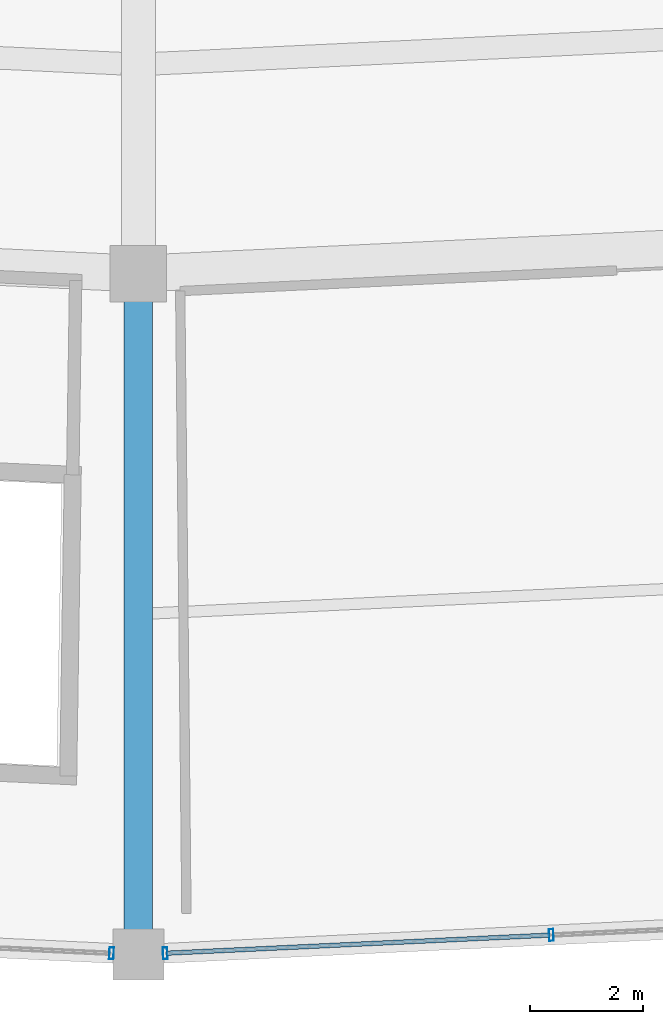
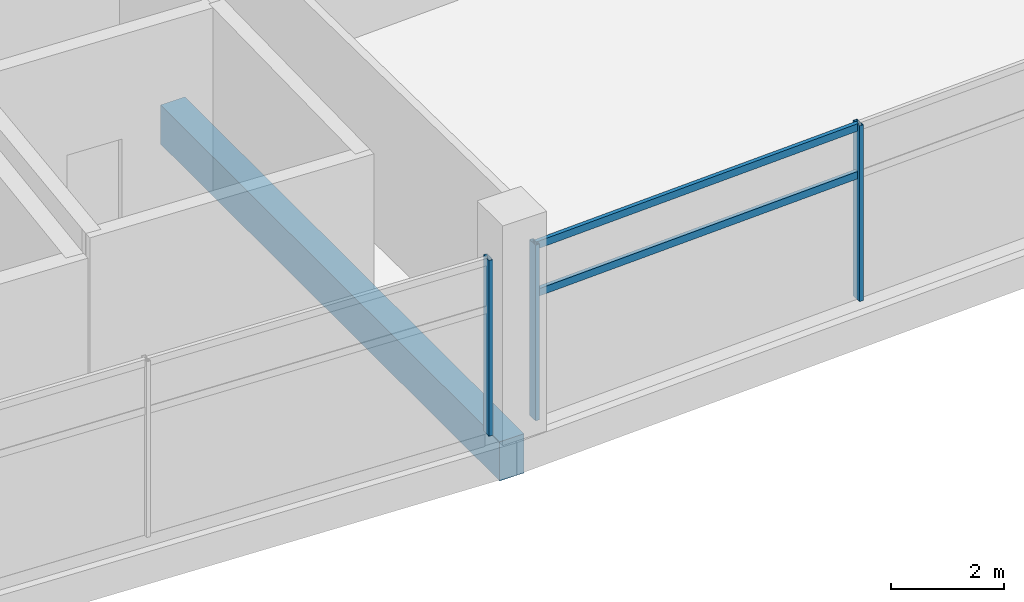
# One storey, part 28 of 171: 5 members, 1 beam, 2 elements without a shape of their own.
"""IFC4 building model written with IfcOpenShell, lengths in metres."""

from ifc_helpers import new_model, si_unit, direction, frame, origin, origin_2d, place, context, subcontext, project, spatial, rectangle, hollow_rectangle, extrude, material, layer, layer_set, material_profile, profile_set, type_object, element, aggregate, save


model = new_model("IFC4")

# Units and contexts
model_context = context("Model", 3, precision=1e-05, world=origin(), true_north=direction((0.0, 1.0)))
body_context = subcontext(model_context, "Body", "Model", "MODEL_VIEW")
ifc_project = project(units=[si_unit("LENGTHUNIT", "METRE"), si_unit("AREAUNIT", "SQUARE_METRE"), si_unit("VOLUMEUNIT", "CUBIC_METRE"), si_unit("PLANEANGLEUNIT", "RADIAN"), si_unit("MASSUNIT", "GRAM", prefix="KILO")], contexts=[model_context])

# Site, building, storey
site_placement = place(None, origin())
site = spatial("IfcSite", under=ifc_project, at=site_placement, CompositionType="ELEMENT")
building_placement = place(site_placement, origin())
building = spatial("IfcBuilding", under=site, at=building_placement, Name="Kazemori Nagisa Stadium", CompositionType="ELEMENT")
storey_placement = place(building_placement, frame((0.0, 0.0, 15.639892578125)))
storey = spatial("IfcBuildingStorey", under=building, at=storey_placement, Name="L03", CompositionType="ELEMENT", Elevation=15.639892578125)

# Beam
ifc_material_1 = material(Name="Concrete C40/50 (Fc42)", Category="concrete")
ifc_material_profile_1 = material_profile(ifc_material_1, rectangle(XDim=0.5, YDim=0.85009765625, at=origin_2d()), Name="RC-BM-500x850")
ifc_profile_set_1 = profile_set([ifc_material_profile_1], Name="Concrete C40/50 (Fc42)")
beam_type = type_object("IfcBeamType", Name="Beam_BG-RC500X850", PredefinedType="BEAM", material=ifc_profile_set_1)
beam_placement = place(storey_placement, frame((123.0, 28.0400390625, -0.684814453125), z_axis=(0.0, -1.0, 0.0), x_axis=(1.0, 0.0, 0.0)))
element("IfcBeam", 1, at=beam_placement, inside=storey, type_object=beam_type, Name="Radial girder BG-RC500X850 L03 R2-R3-22", PredefinedType="BEAM", context=body_context, shape_type="SweptSolid", body=[
    extrude(rectangle(XDim=0.5, YDim=0.85009765625, at=origin_2d()), origin(), (0.0, 0.0, 1.0), 12.0400390625),
])

# Curtain wall, member
ifc_material_2 = material(Name="Anodised aluminium 6063-T5", Category="aluminium")
ifc_layer = layer(ifc_material_2, 0.2099609375, Name="Anodised aluminium 6063-T5", Category="aluminium")
ifc_layer_set = layer_set([ifc_layer], Name="Anodised aluminium 6063-T5")
curtain_wall_type = type_object("IfcCurtainWallType", Name="CW_L03R3_103", PredefinedType="USERDEFINED", material=ifc_layer_set)
curtain_wall_1_placement = place(storey_placement, origin())
curtain_wall_1 = element("IfcCurtainWall", 2, at=curtain_wall_1_placement, inside=storey, type_object=curtain_wall_type, Name="Unitised curtain wall CW-L03R3-103 L03", ObjectType="UNITISED CURTAIN WALL", PredefinedType="USERDEFINED")
ifc_material_3 = material(Name="Aluminium 6063-T5 anodised", Category="aluminium")
ifc_material_profile_2 = material_profile(ifc_material_3, hollow_rectangle(XDim=0.080078125, YDim=0.2099609375, WallThickness=0.0048828125, at=origin_2d()), Name="ALU-MULL-80x210x5")
ifc_profile_set_2 = profile_set([ifc_material_profile_2], Name="Aluminium 6063-T5 anodised")
member_type_1 = type_object("IfcMemberType", Name="Mullion_M02", PredefinedType="MULLION", material=ifc_profile_set_2)
member_1_placement = place(storey_placement, frame((122.525634765625, 16.0224609375, 0.0), z_axis=(0.0, 0.0, 1.0), x_axis=(0.998884022476, -0.047230388971, 0.0)))
member_1 = element("IfcMember", 3, at=member_1_placement, type_object=member_type_1, Name="Curtain wall mullion CW-L03R3-103-M4", PredefinedType="MULLION", context=body_context, shape_type="SweptSolid", body=[
    extrude(hollow_rectangle(XDim=0.080078125, YDim=0.2099609375, WallThickness=0.0048828125, at=origin_2d()), origin(), (0.0, 0.0, 1.0), 3.81005859375),
])
aggregate(curtain_wall_1, [member_1])

# Curtain wall, members
curtain_wall_2_placement = place(storey_placement, origin())
curtain_wall_2 = element("IfcCurtainWall", 4, at=curtain_wall_2_placement, inside=storey, type_object=curtain_wall_type, Name="Unitised curtain wall CW-L03R3-103 L03", ObjectType="UNITISED CURTAIN WALL", PredefinedType="USERDEFINED")
member_2_placement = place(storey_placement, frame((123.474365234375, 16.0224609375, 0.0), z_axis=(0.0, 0.0, 1.0), x_axis=(0.998884022476, 0.047230388971, 0.0)))
member_2 = element("IfcMember", 5, at=member_2_placement, type_object=member_type_1, Name="Curtain wall mullion CW-L03R3-103-M1", PredefinedType="MULLION", context=body_context, shape_type="SweptSolid", body=[
    extrude(hollow_rectangle(XDim=0.080078125, YDim=0.2099609375, WallThickness=0.0048828125, at=origin_2d()), origin(), (0.0, 0.0, 1.0), 3.81005859375),
])
member_3_placement = place(storey_placement, frame((130.30078125, 16.34521484375, 0.0), z_axis=(0.0, 0.0, 1.0), x_axis=(0.998884022476, 0.047230388971, 0.0)))
member_3 = element("IfcMember", 6, at=member_3_placement, type_object=member_type_1, Name="Curtain wall mullion CW-L03R3-103-M2", PredefinedType="MULLION", context=body_context, shape_type="SweptSolid", body=[
    extrude(hollow_rectangle(XDim=0.080078125, YDim=0.2099609375, WallThickness=0.0048828125, at=origin_2d()), origin(), (0.0, 0.0, 1.0), 3.81005859375),
])
ifc_material_profile_3 = material_profile(ifc_material_3, hollow_rectangle(XDim=0.080078125, YDim=0.159912109375, WallThickness=0.00390625, at=origin_2d()), Name="ALU-TRAN-80x160x4")
ifc_profile_set_3 = profile_set([ifc_material_profile_3], Name="Aluminium 6063-T5 anodised")
member_type_2 = type_object("IfcMemberType", Name="Transom_T02", PredefinedType="USERDEFINED", material=ifc_profile_set_3)
member_4_placement = place(storey_placement, frame((123.494384765625, 16.0234375, 2.705322265625), z_axis=(0.998884581669, 0.047218561007, 0.0), x_axis=(-0.047218561007, 0.998884581669, 0.0)))
member_4 = element("IfcMember", 7, at=member_4_placement, type_object=member_type_2, Name="Curtain wall transom CW-L03R3-103-T1-mid", ObjectType="TRANSOM", PredefinedType="USERDEFINED", context=body_context, shape_type="SweptSolid", body=[
    extrude(hollow_rectangle(XDim=0.080078125, YDim=0.159912109375, WallThickness=0.00390625, at=origin_2d()), origin(), (0.0, 0.0, 1.0), 6.7939453125),
])
member_5_placement = place(storey_placement, frame((123.494384765625, 16.0234375, 3.739990234375), z_axis=(0.998884581669, 0.047218561007, 0.0), x_axis=(-0.047218561007, 0.998884581669, 0.0)))
member_5 = element("IfcMember", 8, at=member_5_placement, type_object=member_type_2, Name="Curtain wall transom CW-L03R3-103-T1-head", ObjectType="TRANSOM", PredefinedType="USERDEFINED", context=body_context, shape_type="SweptSolid", body=[
    extrude(hollow_rectangle(XDim=0.080078125, YDim=0.159912109375, WallThickness=0.00390625, at=origin_2d()), origin(), (0.0, 0.0, 1.0), 6.7939453125),
])
aggregate(curtain_wall_2, [member_2, member_3, member_4, member_5])

save(model, "model.ifc")
